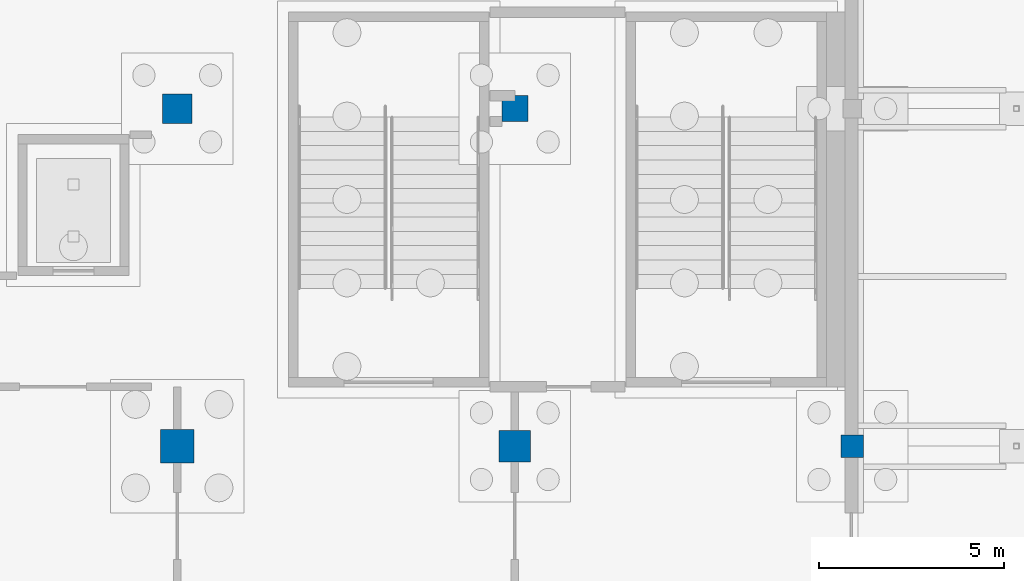
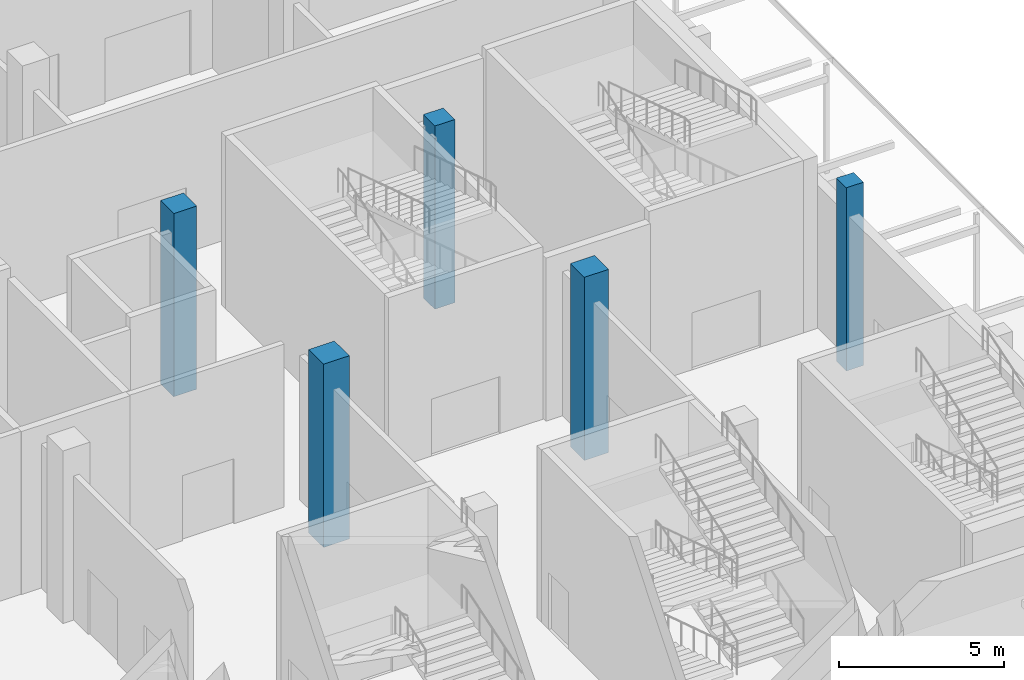
# One storey, part 37 of 129: 5 columns.
"""IFC4 building model written with IfcOpenShell, lengths in metres."""

from ifc_helpers import new_model, si_unit, direction, frame, origin, origin_2d, place, context, subcontext, project, spatial, rectangle, extrude, material, material_profile, profile_set, type_object, element, save


model = new_model("IFC4")

# Units and contexts
model_context = context("Model", 3, precision=1e-05, world=origin(), true_north=direction((0.0, 1.0)))
body_context = subcontext(model_context, "Body", "Model", "MODEL_VIEW")
ifc_project = project(units=[si_unit("LENGTHUNIT", "METRE"), si_unit("AREAUNIT", "SQUARE_METRE"), si_unit("VOLUMEUNIT", "CUBIC_METRE"), si_unit("PLANEANGLEUNIT", "RADIAN"), si_unit("MASSUNIT", "GRAM", prefix="KILO")], contexts=[model_context])

# Site, building, storey
site_placement = place(None, origin())
site = spatial("IfcSite", under=ifc_project, at=site_placement, CompositionType="ELEMENT")
building_placement = place(site_placement, origin())
building = spatial("IfcBuilding", under=site, at=building_placement, Name="Shirokan Park Arena", CompositionType="ELEMENT")
storey_placement = place(building_placement, origin())
storey = spatial("IfcBuildingStorey", under=building, at=storey_placement, Name="L00", CompositionType="ELEMENT", Elevation=0.0)

# Columns
ifc_material = material(Name="Concrete C35", Category="concrete")
ifc_material_profile_1 = material_profile(ifc_material, rectangle(XDim=0.60009765625, YDim=0.60009765625, at=origin_2d()), Name="600x600")
ifc_profile_set_1 = profile_set([ifc_material_profile_1], Name="Concrete C35")
column_type_1 = type_object("IfcColumnType", Name="RC column 600x600", PredefinedType="COLUMN", material=ifc_profile_set_1)
column_1_placement = place(storey_placement, frame((145.60009765625, 18.199951171875, -0.39990234375), z_axis=(0.0, 0.0, 1.0), x_axis=(1.0, 0.0, 0.0)))
element("IfcColumn", 1, at=column_1_placement, inside=storey, type_object=column_type_1, Name="Column 17C L00", PredefinedType="COLUMN", context=body_context, shape_type="SweptSolid", body=[
    extrude(rectangle(XDim=0.60009765625, YDim=0.60009765625, at=origin_2d()), origin(), (0.0, 0.0, 1.0), 6.77001953125),
])
ifc_material_profile_2 = material_profile(ifc_material, rectangle(XDim=0.699951171875, YDim=0.699951171875, at=origin_2d()), Name="700x700")
ifc_profile_set_2 = profile_set([ifc_material_profile_2], Name="Concrete C35")
column_type_2 = type_object("IfcColumnType", Name="RC column 700x700", PredefinedType="COLUMN", material=ifc_profile_set_2)
column_2_placement = place(storey_placement, frame((136.5, 27.300048828125, -0.39990234375), z_axis=(0.0, 0.0, 1.0), x_axis=(1.0, 0.0, 0.0)))
element("IfcColumn", 2, at=column_2_placement, inside=storey, type_object=column_type_2, Name="Column 16D L00", PredefinedType="COLUMN", context=body_context, shape_type="SweptSolid", body=[
    extrude(rectangle(XDim=0.699951171875, YDim=0.699951171875, at=origin_2d()), origin(), (0.0, 0.0, 1.0), 6.77001953125),
])
ifc_material_profile_3 = material_profile(ifc_material, rectangle(XDim=0.800048828125, YDim=0.800048828125, at=origin_2d()), Name="800x800")
ifc_profile_set_3 = profile_set([ifc_material_profile_3], Name="Concrete C35")
column_type_3 = type_object("IfcColumnType", Name="RC column 800x800", PredefinedType="COLUMN", material=ifc_profile_set_3)
column_3_placement = place(storey_placement, frame((127.39990234375, 27.300048828125, -0.39990234375), z_axis=(0.0, 0.0, 1.0), x_axis=(1.0, 0.0, 0.0)))
element("IfcColumn", 3, at=column_3_placement, inside=storey, type_object=column_type_3, Name="Column 15D L00", PredefinedType="COLUMN", context=body_context, shape_type="SweptSolid", body=[
    extrude(rectangle(XDim=0.800048828125, YDim=0.800048828125, at=origin_2d()), origin(), (0.0, 0.0, 1.0), 6.77001953125),
])
ifc_material_profile_4 = material_profile(ifc_material, rectangle(XDim=0.85009765625, YDim=0.85009765625, at=origin_2d()), Name="850x850")
ifc_profile_set_4 = profile_set([ifc_material_profile_4], Name="Concrete C35")
column_type_4 = type_object("IfcColumnType", Name="RC column 850x850", PredefinedType="COLUMN", material=ifc_profile_set_4)
column_4_placement = place(storey_placement, frame((136.5, 18.199951171875, -0.39990234375), z_axis=(0.0, 0.0, 1.0), x_axis=(1.0, 0.0, 0.0)))
element("IfcColumn", 4, at=column_4_placement, inside=storey, type_object=column_type_4, Name="Column 16C L00", PredefinedType="COLUMN", context=body_context, shape_type="SweptSolid", body=[
    extrude(rectangle(XDim=0.85009765625, YDim=0.85009765625, at=origin_2d()), origin(), (0.0, 0.0, 1.0), 6.77001953125),
])
ifc_material_profile_5 = material_profile(ifc_material, rectangle(XDim=0.89990234375, YDim=0.89990234375, at=origin_2d()), Name="900x900")
ifc_profile_set_5 = profile_set([ifc_material_profile_5], Name="Concrete C35")
column_type_5 = type_object("IfcColumnType", Name="RC column 900x900", PredefinedType="COLUMN", material=ifc_profile_set_5)
column_5_placement = place(storey_placement, frame((127.39990234375, 18.199951171875, -0.39990234375), z_axis=(0.0, 0.0, 1.0), x_axis=(1.0, 0.0, 0.0)))
element("IfcColumn", 5, at=column_5_placement, inside=storey, type_object=column_type_5, Name="Column 15C L00", PredefinedType="COLUMN", context=body_context, shape_type="SweptSolid", body=[
    extrude(rectangle(XDim=0.89990234375, YDim=0.89990234375, at=origin_2d()), origin(), (0.0, 0.0, 1.0), 6.77001953125),
])

save(model, "model.ifc")
